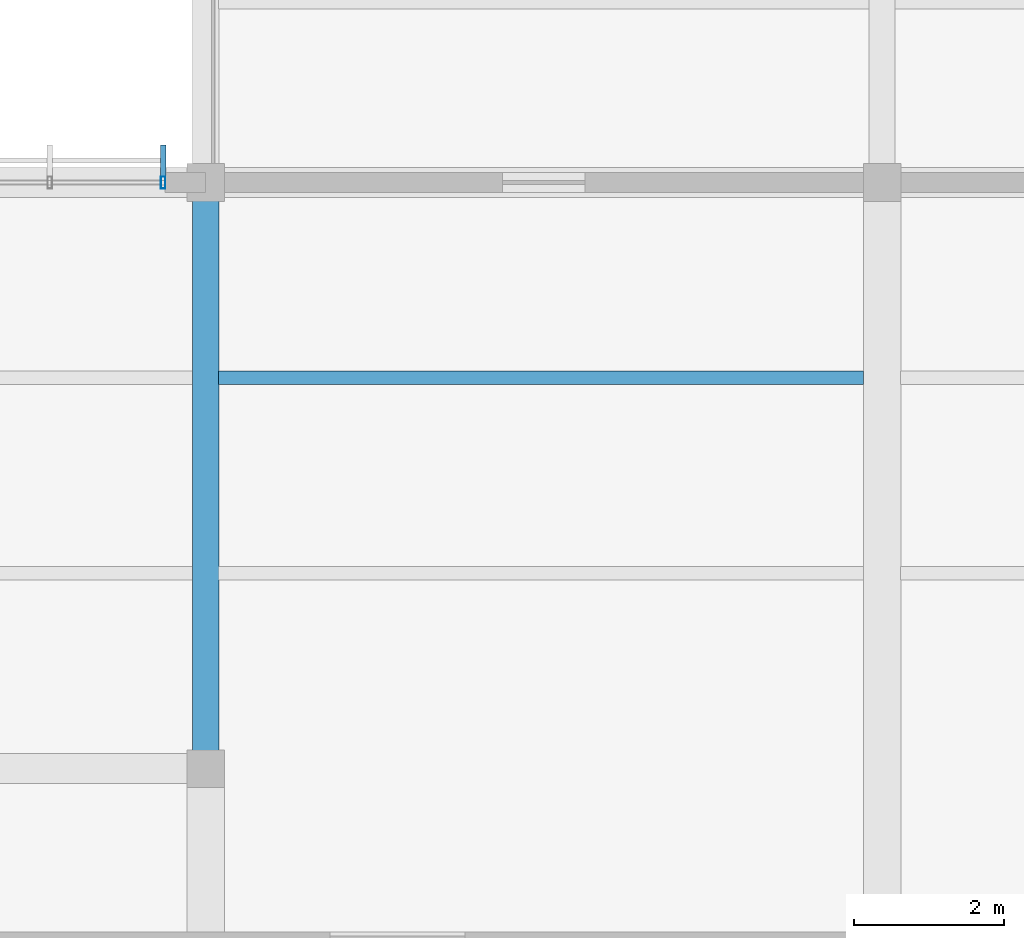
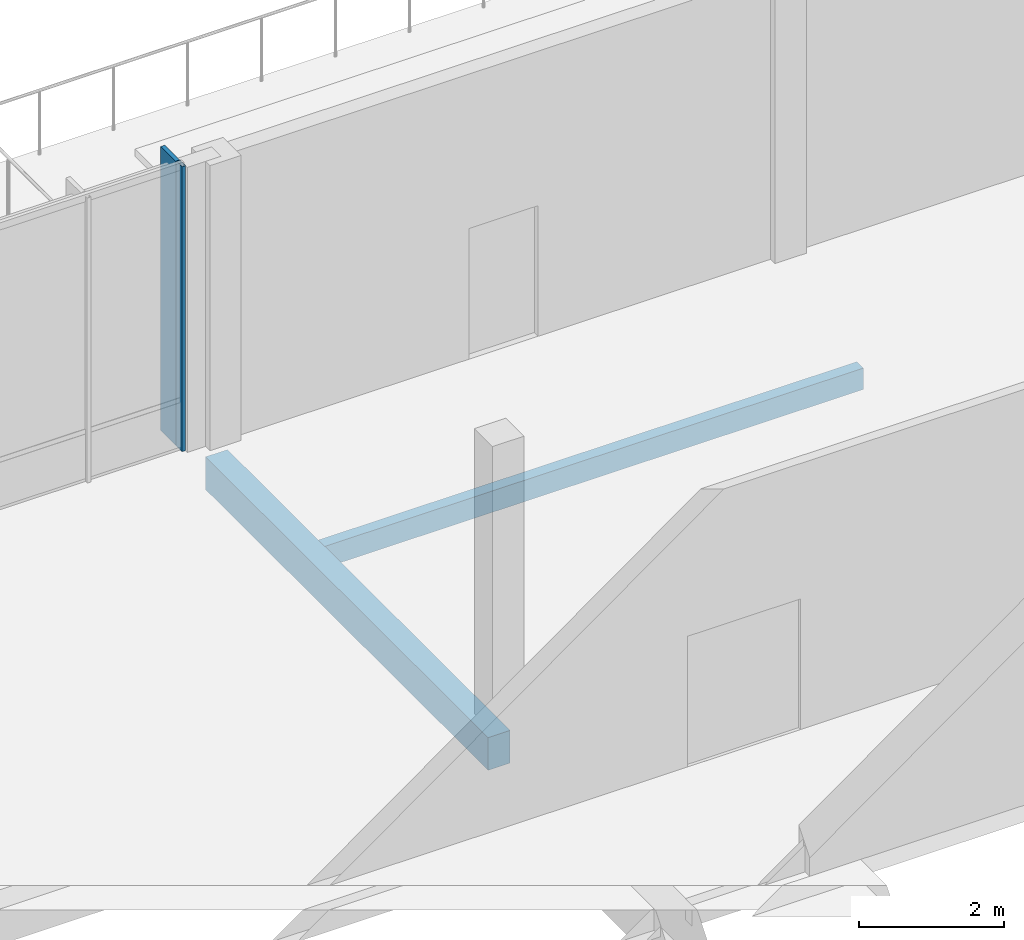
# One storey, part 41 of 177: 2 beams, 2 members, 1 element without a shape of its own.
"""IFC4 building model written with IfcOpenShell, lengths in metres."""

from ifc_helpers import new_model, si_unit, direction, frame, origin, origin_2d, place, context, subcontext, project, spatial, rectangle, hollow_rectangle, extrude, material, material_profile, profile_set, type_object, element, aggregate, save


model = new_model("IFC4")

# Units and contexts
model_context = context("Model", 3, precision=1e-05, world=origin(), true_north=direction((0.0, 1.0)))
body_context = subcontext(model_context, "Body", "Model", "MODEL_VIEW")
ifc_project = project(units=[si_unit("LENGTHUNIT", "METRE"), si_unit("AREAUNIT", "SQUARE_METRE"), si_unit("VOLUMEUNIT", "CUBIC_METRE"), si_unit("PLANEANGLEUNIT", "RADIAN"), si_unit("MASSUNIT", "GRAM", prefix="KILO")], contexts=[model_context])

# Site, building, storey
site_placement = place(None, origin())
site = spatial("IfcSite", under=ifc_project, at=site_placement, CompositionType="ELEMENT")
building_placement = place(site_placement, origin())
building = spatial("IfcBuilding", under=site, at=building_placement, Name="Chiffa Square Polytechnic", CompositionType="ELEMENT")
storey_placement = place(building_placement, frame((0.0, 0.0, 4.800048828125)))
storey = spatial("IfcBuildingStorey", under=building, at=storey_placement, Name="L01", CompositionType="ELEMENT", Elevation=4.800048828125)

# Beam
ifc_material_1 = material(Name="Concrete C35/45", Category="concrete")
ifc_material_profile_1 = material_profile(ifc_material_1, rectangle(XDim=0.35009765625, YDim=0.550048828125, at=origin_2d()), Name="RC 350x550")
ifc_profile_set_1 = profile_set([ifc_material_profile_1], Name="Concrete C35/45")
beam_type_1 = type_object("IfcBeamType", Name="BM-RC-350X550", PredefinedType="BEAM", material=ifc_profile_set_1)
beam_1_placement = place(storey_placement, frame((57.60009765625, 36.0, -0.554931640625), z_axis=(0.0, 1.0, 0.0), x_axis=(-1.0, 0.0, 0.0)))
element("IfcBeam", 1, at=beam_1_placement, inside=storey, type_object=beam_type_1, Name="Primary floor girder BM-V4-L01-Y-0576-0360", PredefinedType="BEAM", context=body_context, shape_type="SweptSolid", body=[
    extrude(rectangle(XDim=0.35009765625, YDim=0.550048828125, at=origin_2d()), origin(), (0.0, 0.0, 1.0), 7.800048828125),
])

# Curtain wall, members
ifc_material_2 = material(Name="Aluminium EN AW-6060 T66 and glulam shading", Category="wood")
curtain_wall_type = type_object("IfcCurtainWallType", Name="CW-VERT-300X380", PredefinedType="USERDEFINED", material=ifc_material_2)
curtain_wall_placement = place(storey_placement, origin())
curtain_wall = element("IfcCurtainWall", 2, at=curtain_wall_placement, inside=storey, type_object=curtain_wall_type, Name="Curtain wall CW-V4-L01-187", ObjectType="CURTAIN WALL", PredefinedType="USERDEFINED")
ifc_material_3 = material(Name="Aluminium EN AW-6060 T66", Category="aluminium")
ifc_material_profile_2 = material_profile(ifc_material_3, hollow_rectangle(XDim=0.06005859375, YDim=0.159912109375, WallThickness=0.00390625, at=origin_2d()), Name="ALU 60x160x4")
ifc_profile_set_2 = profile_set([ifc_material_profile_2], Name="Aluminium EN AW-6060 T66")
member_type_1 = type_object("IfcMemberType", Name="CWM-ALU-65X150", PredefinedType="MULLION", material=ifc_profile_set_2)
member_1_placement = place(storey_placement, frame((57.034912109375, 43.800048828125, 0.0), z_axis=(0.0, 0.0, 1.0), x_axis=(1.0, 0.0, 0.0)))
member_1 = element("IfcMember", 3, at=member_1_placement, type_object=member_type_1, Name="Curtain wall mullion CW-V4-L01-187-M00", PredefinedType="MULLION", context=body_context, shape_type="SweptSolid", body=[
    extrude(hollow_rectangle(XDim=0.06005859375, YDim=0.159912109375, WallThickness=0.00390625, at=origin_2d()), origin(), (0.0, 0.0, 1.0), 4.800048828125),
])
ifc_material_4 = material(Name="Glulam GL28h", Category="wood")
ifc_material_profile_3 = material_profile(ifc_material_4, rectangle(XDim=0.070068359375, YDim=0.419921875, at=origin_2d()), Name="GL28h 70x420")
ifc_profile_set_3 = profile_set([ifc_material_profile_3], Name="Glulam GL28h")
member_type_2 = type_object("IfcMemberType", Name="CWM-GL-70X420", PredefinedType="MULLION", material=ifc_profile_set_3)
member_2_placement = place(storey_placement, frame((57.034912109375, 44.092041015625, 0.010009765625), z_axis=(0.0, 0.0, 1.0), x_axis=(-1.0, 0.0, 0.0)))
member_2 = element("IfcMember", 4, at=member_2_placement, type_object=member_type_2, Name="Exterior glulam solar fin CW-V4-L01-187-FN00", PredefinedType="MULLION", context=body_context, shape_type="SweptSolid", body=[
    extrude(rectangle(XDim=0.070068359375, YDim=0.419921875, at=origin_2d()), origin(), (0.0, 0.0, 1.0), 4.780029296875),
])
aggregate(curtain_wall, [member_1, member_2])

# Beam
ifc_material_profile_4 = material_profile(ifc_material_4, rectangle(XDim=0.179931640625, YDim=0.360107421875, at=origin_2d()), Name="GL28h 180x360")
ifc_profile_set_4 = profile_set([ifc_material_profile_4], Name="Glulam GL28h")
beam_type_2 = type_object("IfcBeamType", Name="JST-GL-180X360", PredefinedType="JOIST", material=ifc_profile_set_4)
beam_2_placement = place(storey_placement, frame((57.77294921875, 41.199951171875, -0.4599609375), z_axis=(1.0, 0.0, 0.0), x_axis=(0.0, 1.0, 0.0)))
element("IfcBeam", 5, at=beam_2_placement, inside=storey, type_object=beam_type_2, Name="Secondary floor joist JST-V4-L01-0576-0412", PredefinedType="JOIST", context=body_context, shape_type="SweptSolid", body=[
    extrude(rectangle(XDim=0.179931640625, YDim=0.360107421875, at=origin_2d()), origin(), (0.0, 0.0, 1.0), 8.5791015625),
])

save(model, "model.ifc")
